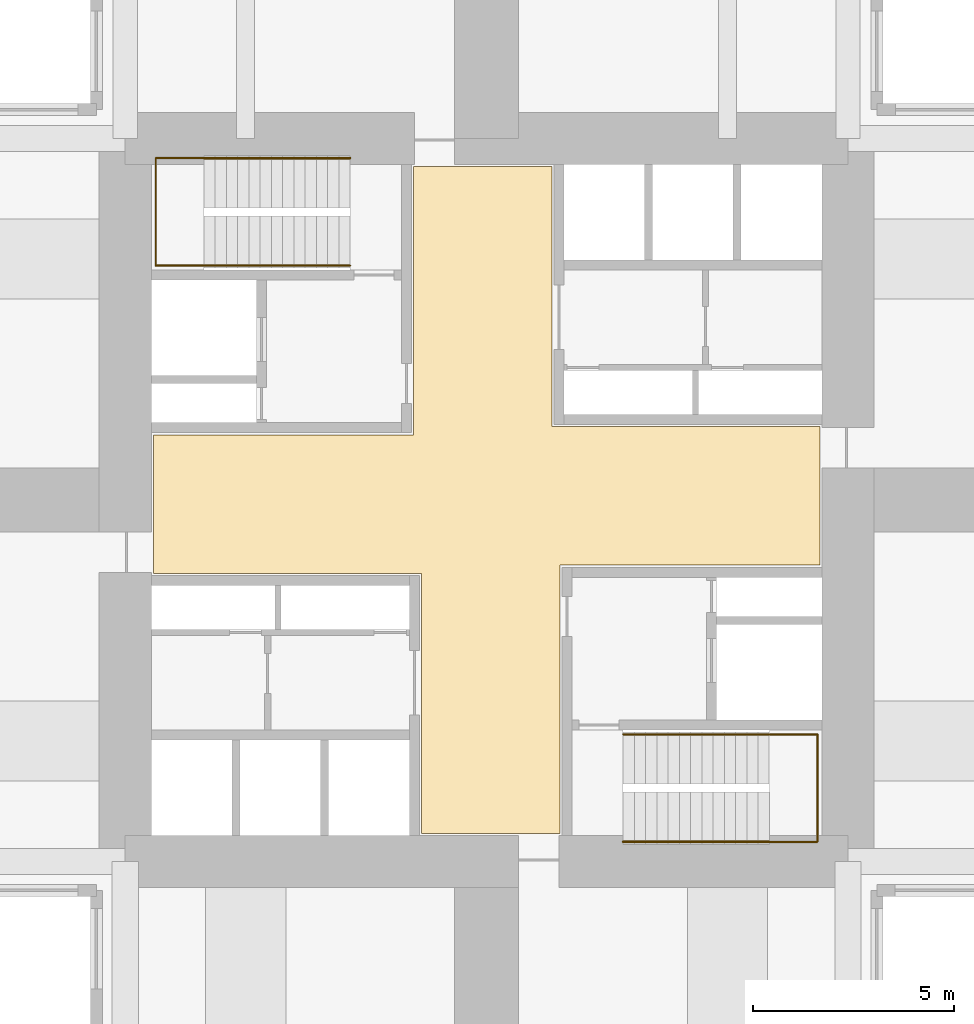
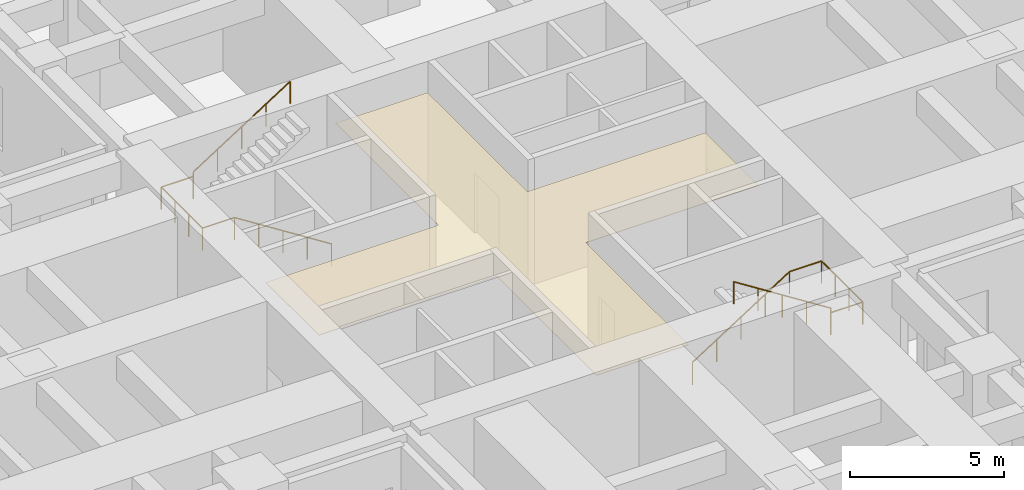
# One storey, part 6 of 6: 4 railings, 1 covering.
"""IFC4 building model written with IfcOpenShell, lengths in metres."""

from ifc_helpers import new_model, si_unit, direction, frame, origin, origin_2d, place, context, subcontext, project, spatial, polyline, circle, outline, extrude, material, layer, layer_set, type_object, element, save


model = new_model("IFC4")

# Units and contexts
model_context = context("Model", 3, precision=1e-05, world=origin(), true_north=direction((0.0, 1.0)))
body_context = subcontext(model_context, "Body", "Model", "MODEL_VIEW")
ifc_project = project(units=[si_unit("LENGTHUNIT", "METRE"), si_unit("AREAUNIT", "SQUARE_METRE"), si_unit("VOLUMEUNIT", "CUBIC_METRE"), si_unit("PLANEANGLEUNIT", "RADIAN"), si_unit("MASSUNIT", "GRAM", prefix="KILO")], contexts=[model_context])

# Site, building, storey
site_placement = place(None, origin())
site = spatial("IfcSite", under=ifc_project, at=site_placement, CompositionType="ELEMENT")
building_placement = place(site_placement, origin())
building = spatial("IfcBuilding", under=site, at=building_placement, Name="Torre Cruceta", CompositionType="ELEMENT")
storey_placement = place(building_placement, frame((0.0, 0.0, 18.5)))
storey = spatial("IfcBuildingStorey", under=building, at=storey_placement, Name="L04", CompositionType="ELEMENT", Elevation=18.5)

# Railings
ifc_material_1 = material(Name="Stainless steel 1.4401", Category="steel")
railing_type = type_object("IfcRailingType", Name="HANDRAIL 900", PredefinedType="HANDRAIL", material=ifc_material_1)
railing_1_placement = place(storey_placement, frame((-3.39990234375, 5.8349609375, 0.178466796875)))
element("IfcRailing", 1, at=railing_1_placement, inside=storey, type_object=railing_type, Name="Handrail HR1 ST1 L04", PredefinedType="HANDRAIL", context=body_context, shape_type="SweptSolid", body=[
    extrude(circle(Radius=0.02392578125, at=origin_2d()), frame((0.0, 0.0, 0.8759765625), z_axis=(-0.843127859045, 0.0, 0.537713132908), x_axis=(0.0, -1.0, 0.0)), (0.0, 0.0, 1.0), 4.3173828125),
    extrude(circle(Radius=0.02392578125, at=origin_2d()), frame((-3.64013671875, 0.0, 3.197265625), z_axis=(-1.0, 0.0, 0.0), x_axis=(0.0, -1.0, 0.0)), (0.0, 0.0, 1.0), 1.199951171875),
    extrude(circle(Radius=0.02392578125, at=origin_2d()), frame((-4.840087890625, 0.0, 3.197265625), z_axis=(0.0, 1.0, 0.0), x_axis=(-1.0, 0.0, 0.0)), (0.0, 0.0, 1.0), 2.679931640625),
    extrude(circle(Radius=0.02392578125, at=origin_2d()), frame((-4.840087890625, 2.679931640625, 3.197265625), z_axis=(1.0, 0.0, 0.0), x_axis=(0.0, 1.0, 0.0)), (0.0, 0.0, 1.0), 1.199951171875),
    extrude(circle(Radius=0.02099609375, at=origin_2d()), origin(), (0.0, 0.0, 1.0), 0.851806640625),
    extrude(circle(Radius=0.02099609375, at=origin_2d()), frame((-0.91015625, 0.0, 0.580322265625)), (0.0, 0.0, 1.0), 0.851806640625),
    extrude(circle(Radius=0.02099609375, at=origin_2d()), frame((-1.820068359375, 0.0, 1.16064453125)), (0.0, 0.0, 1.0), 0.851806640625),
    extrude(circle(Radius=0.02099609375, at=origin_2d()), frame((-2.72998046875, 0.0, 1.7412109375)), (0.0, 0.0, 1.0), 0.851806640625),
    extrude(circle(Radius=0.02099609375, at=origin_2d()), frame((-3.64013671875, 0.0, 2.321533203125)), (0.0, 0.0, 1.0), 0.851806640625),
    extrude(circle(Radius=0.02099609375, at=origin_2d()), frame((-4.840087890625, 0.0, 2.321533203125)), (0.0, 0.0, 1.0), 0.851806640625),
    extrude(circle(Radius=0.02099609375, at=origin_2d()), frame((-4.840087890625, 0.893310546875, 2.321533203125)), (0.0, 0.0, 1.0), 0.851806640625),
    extrude(circle(Radius=0.02099609375, at=origin_2d()), frame((-4.840087890625, 1.78662109375, 2.321533203125)), (0.0, 0.0, 1.0), 0.851806640625),
    extrude(circle(Radius=0.02099609375, at=origin_2d()), frame((-4.840087890625, 2.679931640625, 2.321533203125)), (0.0, 0.0, 1.0), 0.851806640625),
    extrude(circle(Radius=0.02099609375, at=origin_2d()), frame((-3.64013671875, 2.679931640625, 2.321533203125)), (0.0, 0.0, 1.0), 0.851806640625),
])
railing_2_placement = place(storey_placement, frame((-7.0400390625, 8.514892578125, 2.678466796875)))
element("IfcRailing", 2, at=railing_2_placement, inside=storey, type_object=railing_type, Name="Handrail HR1 ST1 L04", PredefinedType="HANDRAIL", context=body_context, shape_type="SweptSolid", body=[
    extrude(circle(Radius=0.02392578125, at=origin_2d()), frame((0.0, 0.0, 0.8759765625), z_axis=(0.843127859045, 0.0, 0.537713132908), x_axis=(0.0, 1.0, 0.0)), (0.0, 0.0, 1.0), 4.3173828125),
    extrude(circle(Radius=0.02099609375, at=origin_2d()), origin(), (0.0, 0.0, 1.0), 0.851806640625),
    extrude(circle(Radius=0.02099609375, at=origin_2d()), frame((0.91015625, 0.0, 0.580322265625)), (0.0, 0.0, 1.0), 0.851806640625),
    extrude(circle(Radius=0.02099609375, at=origin_2d()), frame((1.820068359375, 0.0, 1.16064453125)), (0.0, 0.0, 1.0), 0.851806640625),
    extrude(circle(Radius=0.02099609375, at=origin_2d()), frame((2.72998046875, 0.0, 1.7412109375)), (0.0, 0.0, 1.0), 0.851806640625),
    extrude(circle(Radius=0.02099609375, at=origin_2d()), frame((3.64013671875, 0.0, 2.321533203125)), (0.0, 0.0, 1.0), 0.851806640625),
])
railing_3_placement = place(storey_placement, frame((3.39990234375, -5.8349609375, 0.178466796875)))
element("IfcRailing", 3, at=railing_3_placement, inside=storey, type_object=railing_type, Name="Handrail HR1 ST2 L04", PredefinedType="HANDRAIL", context=body_context, shape_type="SweptSolid", body=[
    extrude(circle(Radius=0.02392578125, at=origin_2d()), frame((0.0, 0.0, 0.8759765625), z_axis=(0.843127859045, 0.0, 0.537713132908), x_axis=(0.0, 1.0, 0.0)), (0.0, 0.0, 1.0), 4.3173828125),
    extrude(circle(Radius=0.02392578125, at=origin_2d()), frame((3.64013671875, 0.0, 3.197265625), z_axis=(1.0, 0.0, 0.0), x_axis=(0.0, 1.0, 0.0)), (0.0, 0.0, 1.0), 1.199951171875),
    extrude(circle(Radius=0.02392578125, at=origin_2d()), frame((4.840087890625, 0.0, 3.197265625), z_axis=(0.0, -1.0, 0.0), x_axis=(1.0, 0.0, 0.0)), (0.0, 0.0, 1.0), 2.679931640625),
    extrude(circle(Radius=0.02392578125, at=origin_2d()), frame((4.840087890625, -2.679931640625, 3.197265625), z_axis=(-1.0, 0.0, 0.0), x_axis=(0.0, -1.0, 0.0)), (0.0, 0.0, 1.0), 1.199951171875),
    extrude(circle(Radius=0.02099609375, at=origin_2d()), origin(), (0.0, 0.0, 1.0), 0.851806640625),
    extrude(circle(Radius=0.02099609375, at=origin_2d()), frame((0.91015625, 0.0, 0.580322265625)), (0.0, 0.0, 1.0), 0.851806640625),
    extrude(circle(Radius=0.02099609375, at=origin_2d()), frame((1.820068359375, 0.0, 1.16064453125)), (0.0, 0.0, 1.0), 0.851806640625),
    extrude(circle(Radius=0.02099609375, at=origin_2d()), frame((2.72998046875, 0.0, 1.7412109375)), (0.0, 0.0, 1.0), 0.851806640625),
    extrude(circle(Radius=0.02099609375, at=origin_2d()), frame((3.64013671875, 0.0, 2.321533203125)), (0.0, 0.0, 1.0), 0.851806640625),
    extrude(circle(Radius=0.02099609375, at=origin_2d()), frame((4.840087890625, 0.0, 2.321533203125)), (0.0, 0.0, 1.0), 0.851806640625),
    extrude(circle(Radius=0.02099609375, at=origin_2d()), frame((4.840087890625, -0.893310546875, 2.321533203125)), (0.0, 0.0, 1.0), 0.851806640625),
    extrude(circle(Radius=0.02099609375, at=origin_2d()), frame((4.840087890625, -1.78662109375, 2.321533203125)), (0.0, 0.0, 1.0), 0.851806640625),
    extrude(circle(Radius=0.02099609375, at=origin_2d()), frame((4.840087890625, -2.679931640625, 2.321533203125)), (0.0, 0.0, 1.0), 0.851806640625),
    extrude(circle(Radius=0.02099609375, at=origin_2d()), frame((3.64013671875, -2.679931640625, 2.321533203125)), (0.0, 0.0, 1.0), 0.851806640625),
])
railing_4_placement = place(storey_placement, frame((7.0400390625, -8.514892578125, 2.678466796875)))
element("IfcRailing", 4, at=railing_4_placement, inside=storey, type_object=railing_type, Name="Handrail HR1 ST2 L04", PredefinedType="HANDRAIL", context=body_context, shape_type="SweptSolid", body=[
    extrude(circle(Radius=0.02392578125, at=origin_2d()), frame((0.0, 0.0, 0.8759765625), z_axis=(-0.843127859045, 0.0, 0.537713132908), x_axis=(0.0, -1.0, 0.0)), (0.0, 0.0, 1.0), 4.3173828125),
    extrude(circle(Radius=0.02099609375, at=origin_2d()), origin(), (0.0, 0.0, 1.0), 0.851806640625),
    extrude(circle(Radius=0.02099609375, at=origin_2d()), frame((-0.91015625, 0.0, 0.580322265625)), (0.0, 0.0, 1.0), 0.851806640625),
    extrude(circle(Radius=0.02099609375, at=origin_2d()), frame((-1.820068359375, 0.0, 1.16064453125)), (0.0, 0.0, 1.0), 0.851806640625),
    extrude(circle(Radius=0.02099609375, at=origin_2d()), frame((-2.72998046875, 0.0, 1.7412109375)), (0.0, 0.0, 1.0), 0.851806640625),
    extrude(circle(Radius=0.02099609375, at=origin_2d()), frame((-3.64013671875, 0.0, 2.321533203125)), (0.0, 0.0, 1.0), 0.851806640625),
])

# Covering
ifc_material_2 = material(Name="Mineral fibre ceiling tile", Category="gypsum")
ifc_layer = layer(ifc_material_2, 0.02001953125)
ifc_layer_set = layer_set([ifc_layer], Name="Mineral fibre ceiling tile")
covering_type = type_object("IfcCoveringType", Name="SUSPENDED CEILING 20", PredefinedType="CEILING", material=ifc_layer_set)
covering_placement = place(storey_placement, frame((0.0, 0.0, 3.780029296875)))
element("IfcCovering", 5, at=covering_placement, inside=storey, type_object=covering_type, Name="Ceiling L04-001", PredefinedType="CEILING", context=body_context, shape_type="SweptSolid", body=[
    extrude(outline(polyline([(-1.625, -8.300048828125), (-1.625, -1.824951171875), (-8.300048828125, -1.824951171875), (-8.300048828125, 1.625), (-1.824951171875, 1.625), (-1.824951171875, 8.300048828125), (1.625, 8.300048828125), (1.625, 1.824951171875), (8.300048828125, 1.824951171875), (8.300048828125, -1.625), (1.824951171875, -1.625), (1.824951171875, -8.300048828125), (-1.625, -8.300048828125)])), origin(), (0.0, 0.0, 1.0), 0.02001953125),
])

save(model, "model.ifc")
